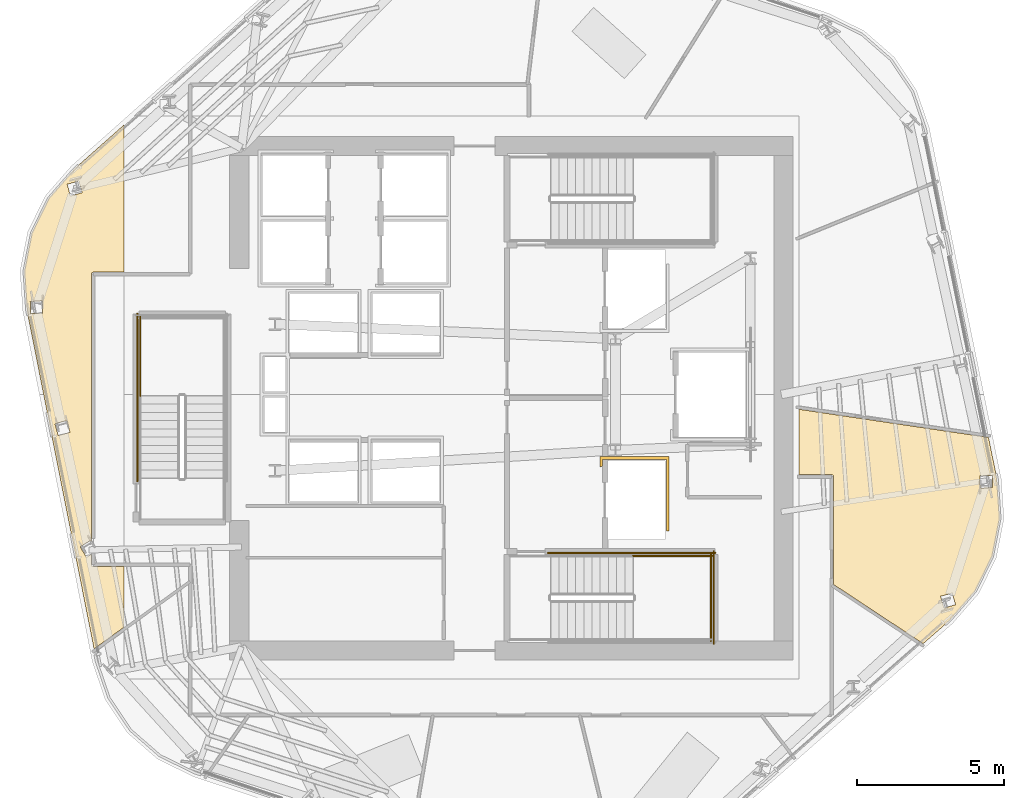
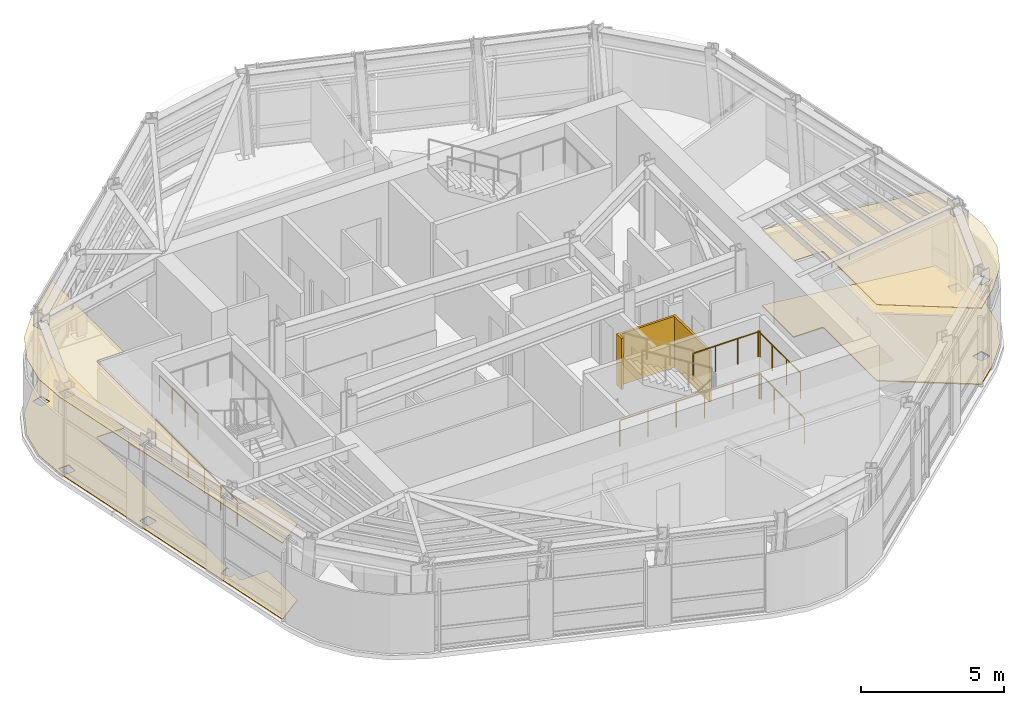
# One storey, part 12 of 15: 6 railings, 5 coverings.
"""IFC4 building model written with IfcOpenShell, lengths in metres."""

from ifc_helpers import new_model, si_unit, direction, frame, origin, origin_2d, place, context, subcontext, project, spatial, polyline, circle, outline, extrude, material, layer, layer_set, type_object, element, save


model = new_model("IFC4")

# Units and contexts
model_context = context("Model", 3, precision=1e-05, world=origin(), true_north=direction((0.0, 1.0)))
body_context = subcontext(model_context, "Body", "Model", "MODEL_VIEW")
ifc_project = project(units=[si_unit("LENGTHUNIT", "METRE"), si_unit("AREAUNIT", "SQUARE_METRE"), si_unit("VOLUMEUNIT", "CUBIC_METRE"), si_unit("PLANEANGLEUNIT", "RADIAN"), si_unit("MASSUNIT", "GRAM", prefix="KILO")], contexts=[model_context])

# Site, building, storey
site_placement = place(None, origin())
site = spatial("IfcSite", under=ifc_project, at=site_placement, CompositionType="ELEMENT")
building_placement = place(site_placement, origin())
building = spatial("IfcBuilding", under=site, at=building_placement, Name="Valkerne Bourse Tower", CompositionType="ELEMENT")
storey_placement = place(building_placement, frame((0.0, 0.0, 201.800048828125)))
storey = spatial("IfcBuildingStorey", under=building, at=storey_placement, Name="L51", CompositionType="ELEMENT", Elevation=201.800048828125)

# Coverings
ifc_material_1 = material(Name="Mineral Fiber Acoustic Ceiling Tile", Category="acoustic")
ifc_layer_1 = layer(ifc_material_1, 0.02490234375)
ifc_layer_set_1 = layer_set([ifc_layer_1], Name="Mineral Fiber Acoustic Ceiling Tile")
covering_type_1 = type_object("IfcCoveringType", Name="COV-CEIL-ACT", PredefinedType="CEILING", material=ifc_layer_set_1)
covering_1_placement = place(storey_placement, frame((0.0, 0.0, 3.25)))
element("IfcCovering", 1, at=covering_1_placement, inside=storey, type_object=covering_type_1, Name="L51 Suspended Ceiling 08", PredefinedType="CEILING", context=body_context, shape_type="SweptSolid", body=[
    extrude(outline(polyline([(62.613037109375, 20.298095703125), (61.739501953125, 19.296630859375), (60.837646484375, 18.5068359375), (57.7890625, 20.519775390625), (57.787109375, 24.216552734375), (57.76171875, 24.255126953125), (57.723388671875, 24.268798828125), (56.60009765625, 24.26904296875), (56.60009765625, 26.49658203125), (63.06298828125, 25.537353515625), (63.357177734375, 24.103515625), (63.447509765625, 22.77783203125), (63.193603515625, 21.48291015625), (62.613037109375, 20.298095703125)]), holes=[polyline([(61.94140625, 19.8359375), (61.828125, 20.23388671875), (61.43212890625, 20.122314453125), (61.43115234375, 20.1201171875), (61.54443359375, 19.721923828125), (61.9404296875, 19.833740234375), (61.94140625, 19.8359375)]), polyline([(63.198974609375, 23.827392578125), (63.19384765625, 24.23828125), (62.779541015625, 24.233642578125), (62.779296875, 24.231201171875), (62.7841796875, 23.8203125), (63.198486328125, 23.824951171875), (63.198974609375, 23.827392578125)])]), origin(), (0.0, 0.0, 1.0), 0.02490234375),
])
covering_2_placement = place(storey_placement, frame((0.0, 0.0, 3.25)))
element("IfcCovering", 2, at=covering_2_placement, inside=storey, type_object=covering_type_1, Name="L51 Suspended Ceiling 12", PredefinedType="CEILING", context=body_context, shape_type="SweptSolid", body=[
    extrude(outline(polyline([(30.45068359375, 32.502197265625), (31.03125, 33.68701171875), (31.905029296875, 34.68896484375), (33.60009765625, 36.193115234375), (33.60009765625, 31.1689453125), (32.549560546875, 31.1689453125), (32.52099609375, 31.16259765625), (32.498779296875, 31.146484375), (32.48095703125, 31.100830078125), (32.48095703125, 22.045654296875), (32.49951171875, 21.951904296875), (32.4580078125, 22.020263671875), (32.103271484375, 21.80615234375), (32.10400390625, 21.803955078125), (32.31689453125, 21.4521484375), (32.482177734375, 21.552001953125), (32.484619140625, 21.17724609375), (32.50927734375, 21.14404296875), (32.54931640625, 21.131103515625), (33.60009765625, 21.131103515625), (33.60009765625, 19.071044921875), (32.576171875, 18.331298828125), (30.287109375, 29.881103515625), (30.19677734375, 31.207275390625), (30.45068359375, 32.502197265625)]), holes=[polyline([(31.75341796875, 25.711181640625), (31.644287109375, 26.107666015625), (31.24462890625, 25.997802734375), (31.244873046875, 25.99560546875), (31.35400390625, 25.599365234375), (31.753662109375, 25.708984375), (31.75341796875, 25.711181640625)]), polyline([(30.82080078125, 29.768798828125), (30.81591796875, 30.1796875), (30.401611328125, 30.175048828125), (30.40087890625, 30.172607421875), (30.406005859375, 29.76171875), (30.8203125, 29.766357421875), (30.82080078125, 29.768798828125)]), polyline([(32.1689453125, 33.8798828125), (32.0556640625, 34.278076171875), (31.659423828125, 34.166259765625), (31.658447265625, 34.1640625), (31.771728515625, 33.76611328125), (32.16796875, 33.877685546875), (32.1689453125, 33.8798828125)])]), origin(), (0.0, 0.0, 1.0), 0.02490234375),
])
ifc_material_2 = material(Name="Galvanised Painted Steel", Category="steel")
ifc_layer_2 = layer(ifc_material_2, 0.044921875)
ifc_layer_set_2 = layer_set([ifc_layer_2], Name="Galvanised Painted Steel")
covering_type_2 = type_object("IfcCoveringType", Name="COV-FLR-RAF", PredefinedType="FLOORING", material=ifc_layer_set_2)
covering_3_placement = place(storey_placement, origin())
element("IfcCovering", 3, at=covering_3_placement, inside=storey, type_object=covering_type_2, Name="L51 Floor Finish 08", PredefinedType="FLOORING", context=body_context, shape_type="SweptSolid", body=[
    extrude(outline(polyline([(62.613037109375, 20.298095703125), (61.739501953125, 19.296630859375), (60.837646484375, 18.5068359375), (57.7890625, 20.519775390625), (57.787109375, 24.216552734375), (57.76171875, 24.255126953125), (57.723388671875, 24.268798828125), (56.60009765625, 24.26904296875), (56.60009765625, 26.49658203125), (63.06298828125, 25.537353515625), (63.357177734375, 24.103515625), (63.447509765625, 22.77783203125), (63.193603515625, 21.48291015625), (62.613037109375, 20.298095703125)]), holes=[polyline([(61.94140625, 19.8359375), (61.828125, 20.23388671875), (61.43212890625, 20.122314453125), (61.43115234375, 20.1201171875), (61.54443359375, 19.721923828125), (61.9404296875, 19.833740234375), (61.94140625, 19.8359375)]), polyline([(63.198974609375, 23.827392578125), (63.19384765625, 24.23828125), (62.779541015625, 24.233642578125), (62.779296875, 24.231201171875), (62.7841796875, 23.8203125), (63.198486328125, 23.824951171875), (63.198974609375, 23.827392578125)])]), origin(), (0.0, 0.0, 1.0), 0.044921875),
])
ifc_material_3 = material(Name="Polished Granite Stone", Category="masonry")
ifc_layer_3 = layer(ifc_material_3, 0.030029296875)
ifc_layer_set_3 = layer_set([ifc_layer_3], Name="Polished Granite Stone")
covering_type_3 = type_object("IfcCoveringType", Name="COV-FLR-TERRAZZO", PredefinedType="FLOORING", material=ifc_layer_set_3)
covering_4_placement = place(storey_placement, origin())
element("IfcCovering", 4, at=covering_4_placement, inside=storey, type_object=covering_type_3, Name="L51 Floor Finish 12", PredefinedType="FLOORING", context=body_context, shape_type="SweptSolid", body=[
    extrude(outline(polyline([(30.45068359375, 32.502197265625), (31.03125, 33.68701171875), (31.905029296875, 34.68896484375), (33.60009765625, 36.193115234375), (33.60009765625, 31.1689453125), (32.549560546875, 31.1689453125), (32.52099609375, 31.16259765625), (32.498779296875, 31.146484375), (32.48095703125, 31.100830078125), (32.48095703125, 22.045654296875), (32.49951171875, 21.951904296875), (32.4580078125, 22.020263671875), (32.103271484375, 21.80615234375), (32.10400390625, 21.803955078125), (32.31689453125, 21.4521484375), (32.482177734375, 21.552001953125), (32.484619140625, 21.17724609375), (32.50927734375, 21.14404296875), (32.54931640625, 21.131103515625), (33.60009765625, 21.131103515625), (33.60009765625, 19.071044921875), (32.576171875, 18.331298828125), (30.287109375, 29.881103515625), (30.19677734375, 31.207275390625), (30.45068359375, 32.502197265625)]), holes=[polyline([(31.75341796875, 25.711181640625), (31.644287109375, 26.107666015625), (31.24462890625, 25.997802734375), (31.244873046875, 25.99560546875), (31.35400390625, 25.599365234375), (31.753662109375, 25.708984375), (31.75341796875, 25.711181640625)]), polyline([(30.82080078125, 29.768798828125), (30.81591796875, 30.1796875), (30.401611328125, 30.175048828125), (30.40087890625, 30.172607421875), (30.406005859375, 29.76171875), (30.8203125, 29.766357421875), (30.82080078125, 29.768798828125)]), polyline([(32.1689453125, 33.8798828125), (32.0556640625, 34.278076171875), (31.659423828125, 34.166259765625), (31.658447265625, 34.1640625), (31.771728515625, 33.76611328125), (32.16796875, 33.877685546875), (32.1689453125, 33.8798828125)])]), origin(), (0.0, 0.0, 1.0), 0.030029296875),
])
ifc_material_4 = material(Name="Gypsum Shaftwall Liner Board", Category="gypsum")
ifc_layer_4 = layer(ifc_material_4, 0.080078125)
ifc_layer_set_4 = layer_set([ifc_layer_4], Name="Gypsum Shaftwall Liner Board")
covering_type_4 = type_object("IfcCoveringType", Name="COV-SHF-CLAD", PredefinedType="CLADDING", material=ifc_layer_set_4)
covering_5_placement = place(storey_placement, origin())
element("IfcCovering", 5, at=covering_5_placement, inside=storey, type_object=covering_type_4, Name="L51 Hoistway & Riser Shaftwall Liner 05", PredefinedType="CLADDING", context=body_context, shape_type="SweptSolid", body=[
    extrude(outline(polyline([(52.179931640625, 22.35009765625), (52.090087890625, 22.35009765625), (52.090087890625, 24.7900390625), (49.909912109375, 24.7900390625), (49.909912109375, 24.560791015625), (49.869384765625, 24.550537109375), (49.827880859375, 24.53564453125), (49.820068359375, 24.531982421875), (49.820068359375, 24.8798828125), (52.179931640625, 24.8798828125), (52.179931640625, 22.35009765625)])), origin(), (0.0, 0.0, 1.0), 2.179931640625),
])

# Railings
railing_type = type_object("IfcRailingType", Name="RLG-ST-GUARD-1120", PredefinedType="GUARDRAIL", material=ifc_material_2)
railing_1_placement = place(storey_placement, frame((50.949951171875, 21.5, 1.89990234375)))
element("IfcRailing", 6, at=railing_1_placement, inside=storey, type_object=railing_type, Name="L51 ST-1 stair guard 4", PredefinedType="GUARDRAIL", context=body_context, shape_type="SweptSolid", body=[
    extrude(circle(Radius=0.02392578125, at=origin_2d()), frame((0.0, 0.0, 1.09619140625), z_axis=(1.0, 0.0, 0.0), x_axis=(0.0, 1.0, 0.0)), (0.0, 0.0, 1.0), 2.699951171875),
    extrude(circle(Radius=0.02099609375, at=origin_2d()), origin(), (0.0, 0.0, 1.0), 1.072021484375),
    extrude(circle(Radius=0.02099609375, at=origin_2d()), frame((0.89990234375, 0.0, 0.0)), (0.0, 0.0, 1.0), 1.072021484375),
    extrude(circle(Radius=0.02099609375, at=origin_2d()), frame((1.800048828125, 0.0, 0.0)), (0.0, 0.0, 1.0), 1.072021484375),
    extrude(circle(Radius=0.02099609375, at=origin_2d()), frame((2.699951171875, 0.0, 0.0)), (0.0, 0.0, 1.0), 1.072021484375),
])
railing_2_placement = place(storey_placement, frame((53.60009765625, 18.60009765625, 1.89990234375)))
element("IfcRailing", 7, at=railing_2_placement, inside=storey, type_object=railing_type, Name="L51 ST-1 stair guard 5", PredefinedType="GUARDRAIL", context=body_context, shape_type="SweptSolid", body=[
    extrude(circle(Radius=0.02392578125, at=origin_2d()), frame((0.0, 0.0, 1.09619140625), z_axis=(0.0, 1.0, 0.0), x_axis=(-1.0, 0.0, 0.0)), (0.0, 0.0, 1.0), 2.949951171875),
    extrude(circle(Radius=0.02099609375, at=origin_2d()), origin(), (0.0, 0.0, 1.0), 1.072021484375),
    extrude(circle(Radius=0.02099609375, at=origin_2d()), frame((0.0, 0.9833984375, 0.0)), (0.0, 0.0, 1.0), 1.072021484375),
    extrude(circle(Radius=0.02099609375, at=origin_2d()), frame((0.0, 1.966552734375, 0.0)), (0.0, 0.0, 1.0), 1.072021484375),
    extrude(circle(Radius=0.02099609375, at=origin_2d()), frame((0.0, 2.949951171875, 0.0)), (0.0, 0.0, 1.0), 1.072021484375),
])
railing_3_placement = place(storey_placement, frame((48.050048828125, 21.60009765625, 0.0)))
element("IfcRailing", 8, at=railing_3_placement, inside=storey, type_object=railing_type, Name="L51 ST-1 stair guard 11", PredefinedType="GUARDRAIL", context=body_context, shape_type="SweptSolid", body=[
    extrude(circle(Radius=0.02392578125, at=origin_2d()), frame((0.0, 0.0, 1.09619140625), z_axis=(1.0, 0.0, 0.0), x_axis=(0.0, 1.0, 0.0)), (0.0, 0.0, 1.0), 5.699951171875),
    extrude(circle(Radius=0.02099609375, at=origin_2d()), origin(), (0.0, 0.0, 1.0), 1.072021484375),
    extrude(circle(Radius=0.02099609375, at=origin_2d()), frame((1.139892578125, 0.0, 0.0)), (0.0, 0.0, 1.0), 1.072021484375),
    extrude(circle(Radius=0.02099609375, at=origin_2d()), frame((2.280029296875, 0.0, 0.0)), (0.0, 0.0, 1.0), 1.072021484375),
    extrude(circle(Radius=0.02099609375, at=origin_2d()), frame((3.419921875, 0.0, 0.0)), (0.0, 0.0, 1.0), 1.072021484375),
    extrude(circle(Radius=0.02099609375, at=origin_2d()), frame((4.56005859375, 0.0, 0.0)), (0.0, 0.0, 1.0), 1.072021484375),
    extrude(circle(Radius=0.02099609375, at=origin_2d()), frame((5.699951171875, 0.0, 0.0)), (0.0, 0.0, 1.0), 1.072021484375),
])
railing_4_placement = place(storey_placement, frame((53.699951171875, 18.5, 0.0)))
element("IfcRailing", 9, at=railing_4_placement, inside=storey, type_object=railing_type, Name="L51 ST-1 stair guard 12", PredefinedType="GUARDRAIL", context=body_context, shape_type="SweptSolid", body=[
    extrude(circle(Radius=0.02392578125, at=origin_2d()), frame((0.0, 0.0, 1.09619140625), z_axis=(0.0, 1.0, 0.0), x_axis=(-1.0, 0.0, 0.0)), (0.0, 0.0, 1.0), 3.14990234375),
    extrude(circle(Radius=0.02099609375, at=origin_2d()), origin(), (0.0, 0.0, 1.0), 1.072021484375),
    extrude(circle(Radius=0.02099609375, at=origin_2d()), frame((0.0, 1.050048828125, 0.0)), (0.0, 0.0, 1.0), 1.072021484375),
    extrude(circle(Radius=0.02099609375, at=origin_2d()), frame((0.0, 2.099853515625, 0.0)), (0.0, 0.0, 1.0), 1.072021484375),
    extrude(circle(Radius=0.02099609375, at=origin_2d()), frame((0.0, 3.14990234375, 0.0)), (0.0, 0.0, 1.0), 1.072021484375),
])
railing_5_placement = place(storey_placement, frame((34.14990234375, 26.949951171875, 1.89990234375)))
element("IfcRailing", 10, at=railing_5_placement, inside=storey, type_object=railing_type, Name="L51 ST-3 stair guard 4", PredefinedType="GUARDRAIL", context=body_context, shape_type="SweptSolid", body=[
    extrude(circle(Radius=0.02392578125, at=origin_2d()), frame((0.0, 0.0, 1.09619140625), z_axis=(0.0, 1.0, 0.0), x_axis=(-1.0, 0.0, 0.0)), (0.0, 0.0, 1.0), 2.699951171875),
    extrude(circle(Radius=0.02099609375, at=origin_2d()), origin(), (0.0, 0.0, 1.0), 1.072021484375),
    extrude(circle(Radius=0.02099609375, at=origin_2d()), frame((0.0, 0.89990234375, 0.0)), (0.0, 0.0, 1.0), 1.072021484375),
    extrude(circle(Radius=0.02099609375, at=origin_2d()), frame((0.0, 1.800048828125, 0.0)), (0.0, 0.0, 1.0), 1.072021484375),
    extrude(circle(Radius=0.02099609375, at=origin_2d()), frame((0.0, 2.699951171875, 0.0)), (0.0, 0.0, 1.0), 1.072021484375),
])
railing_6_placement = place(storey_placement, frame((34.050048828125, 24.050048828125, 0.0)))
element("IfcRailing", 11, at=railing_6_placement, inside=storey, type_object=railing_type, Name="L51 ST-3 stair guard 11", PredefinedType="GUARDRAIL", context=body_context, shape_type="SweptSolid", body=[
    extrude(circle(Radius=0.02392578125, at=origin_2d()), frame((0.0, 0.0, 1.09619140625), z_axis=(0.0, 1.0, 0.0), x_axis=(-1.0, 0.0, 0.0)), (0.0, 0.0, 1.0), 5.699951171875),
    extrude(circle(Radius=0.02099609375, at=origin_2d()), origin(), (0.0, 0.0, 1.0), 1.072021484375),
    extrude(circle(Radius=0.02099609375, at=origin_2d()), frame((0.0, 1.139892578125, 0.0)), (0.0, 0.0, 1.0), 1.072021484375),
    extrude(circle(Radius=0.02099609375, at=origin_2d()), frame((0.0, 2.280029296875, 0.0)), (0.0, 0.0, 1.0), 1.072021484375),
    extrude(circle(Radius=0.02099609375, at=origin_2d()), frame((0.0, 3.419921875, 0.0)), (0.0, 0.0, 1.0), 1.072021484375),
    extrude(circle(Radius=0.02099609375, at=origin_2d()), frame((0.0, 4.56005859375, 0.0)), (0.0, 0.0, 1.0), 1.072021484375),
    extrude(circle(Radius=0.02099609375, at=origin_2d()), frame((0.0, 5.699951171875, 0.0)), (0.0, 0.0, 1.0), 1.072021484375),
])

save(model, "model.ifc")
